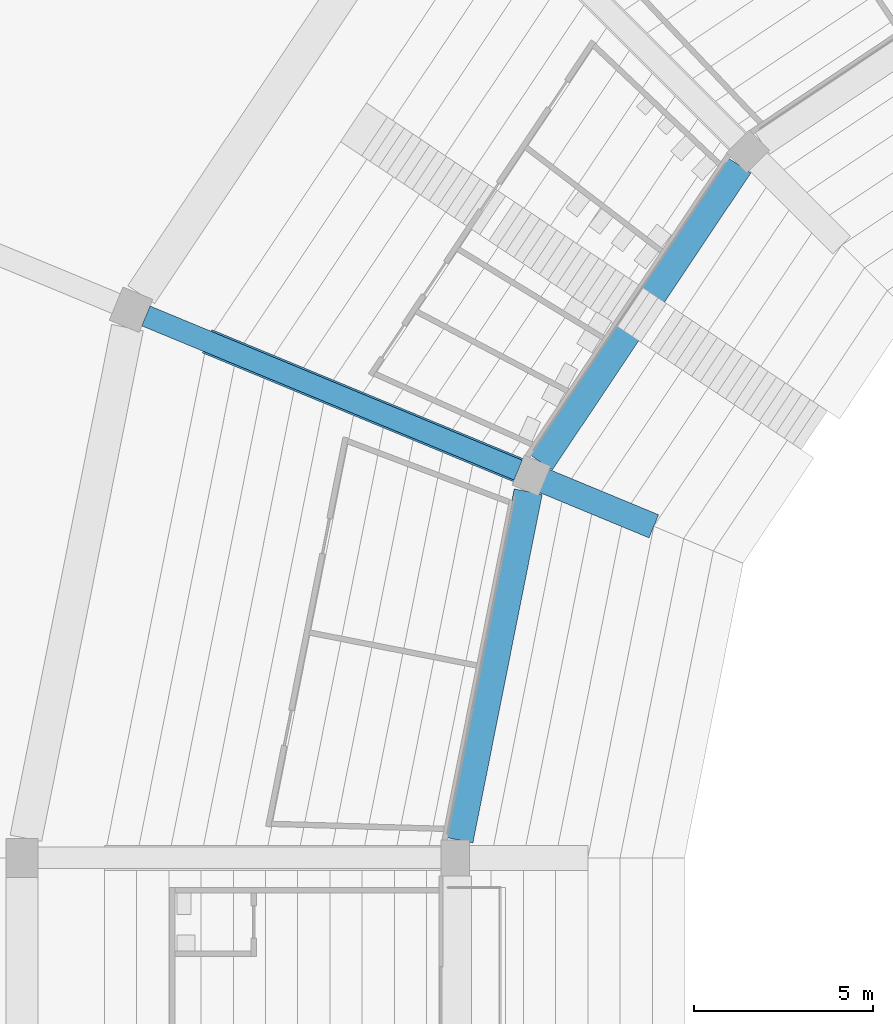
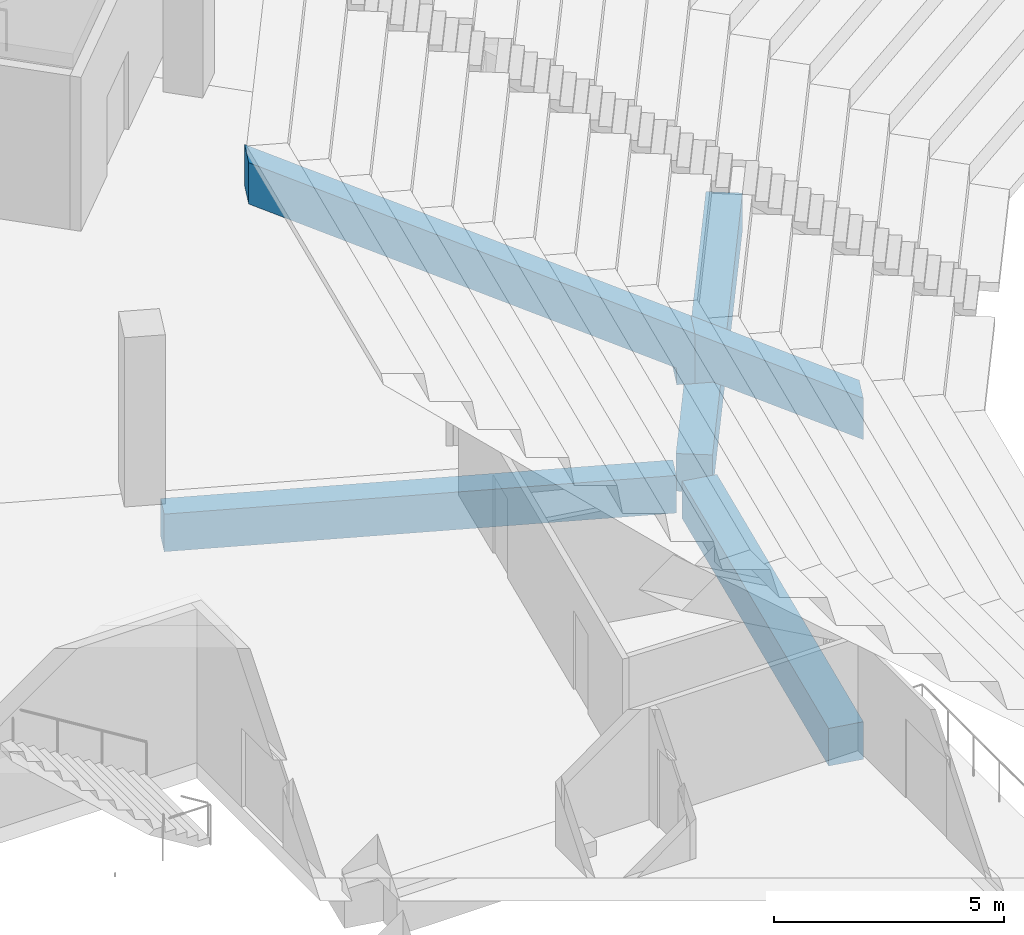
# One storey, part 44 of 249: 5 beams.
"""IFC4 building model written with IfcOpenShell, lengths in metres."""

from ifc_helpers import new_model, si_unit, direction, frame, origin, origin_2d, place, context, subcontext, project, spatial, polyline, rectangle, outline, extrude, material, material_profile, profile_set, type_object, element, save


model = new_model("IFC4")

# Units and contexts
model_context = context("Model", 3, precision=1e-05, world=origin(), true_north=direction((0.0, 1.0)))
body_context = subcontext(model_context, "Body", "Model", "MODEL_VIEW")
ifc_project = project(units=[si_unit("LENGTHUNIT", "METRE"), si_unit("AREAUNIT", "SQUARE_METRE"), si_unit("VOLUMEUNIT", "CUBIC_METRE"), si_unit("PLANEANGLEUNIT", "RADIAN"), si_unit("MASSUNIT", "GRAM", prefix="KILO")], contexts=[model_context])

# Site, building, storey
site_placement = place(None, origin())
site = spatial("IfcSite", under=ifc_project, at=site_placement, CompositionType="ELEMENT")
building_placement = place(site_placement, origin())
building = spatial("IfcBuilding", under=site, at=building_placement, Name="Ogive Plaza Stadium", CompositionType="ELEMENT")
storey_placement = place(building_placement, frame((0.0, 0.0, 13.5)))
storey = spatial("IfcBuildingStorey", under=building, at=storey_placement, Name="L03", CompositionType="ELEMENT", Elevation=13.5)

# Beams
ifc_material_1 = material(Name="Concrete C45/55 precast", Category="concrete")
ifc_material_profile_1 = material_profile(ifc_material_1, rectangle(XDim=0.699951171875, YDim=1.10009765625, at=origin_2d()), Name="RC 700x1100")
ifc_profile_set_1 = profile_set([ifc_material_profile_1], Name="Concrete C45/55 precast")
beam_type_1 = type_object("IfcBeamType", Name="Precast raker UT back-span 700x1100", PredefinedType="USERDEFINED", material=ifc_profile_set_1)
beam_1_placement = place(storey_placement, frame((-34.0, 52.5, -13.5), z_axis=(0.0, 0.0, 1.0), x_axis=(-0.923879532511, 0.382683432365, 0.0)))
element("IfcBeam", 1, at=beam_1_placement, inside=storey, type_object=beam_type_1, Name="RAKER UT BACK-SPAN R29", ObjectType="RAKER", PredefinedType="USERDEFINED", context=body_context, shape_type="SweptSolid", body=[
    extrude(outline(polyline([(27.89990234375, 15.533203125), (28.300048828125, 15.533203125), (28.300048828125, 15.977783203125), (37.699951171875, 21.199951171875), (37.699951171875, 22.300048828125), (27.89990234375, 16.855712890625), (27.89990234375, 15.533203125)])), frame((0.0, 0.35009765625, 0.0), z_axis=(0.0, -1.0, 0.0), x_axis=(1.0, 0.0, 0.0)), (0.0, 0.0, 1.0), 0.699951171875),
])
ifc_material_2 = material(Name="Concrete C45/55 precast", Category="concrete")
ifc_material_profile_2 = material_profile(ifc_material_2, rectangle(XDim=0.699951171875, YDim=1.10009765625, at=origin_2d()), Name="RC 700x1100")
ifc_profile_set_2 = profile_set([ifc_material_profile_2], Name="Concrete C45/55 precast")
beam_type_2 = type_object("IfcBeamType", Name="Precast raker UT cantilever 700x1100", PredefinedType="USERDEFINED", material=ifc_profile_set_2)
beam_2_placement = place(storey_placement, frame((-34.0, 52.5, -13.5), z_axis=(0.0, 0.0, 1.0), x_axis=(-0.923879532511, 0.382683432365, 0.0)))
element("IfcBeam", 2, at=beam_2_placement, inside=storey, type_object=beam_type_2, Name="RAKER UT CANTILEVER R29", ObjectType="RAKER", PredefinedType="USERDEFINED", context=body_context, shape_type="SweptSolid", body=[
    extrude(outline(polyline([(24.199951171875, 13.699951171875), (27.5, 15.533203125), (27.89990234375, 15.533203125), (27.89990234375, 16.855712890625), (24.199951171875, 14.800048828125), (24.199951171875, 13.699951171875)])), frame((0.0, 0.35009765625, 0.0), z_axis=(0.0, -1.0, 0.0), x_axis=(1.0, 0.0, 0.0)), (0.0, 0.0, 1.0), 0.699951171875),
])
ifc_material_3 = material(Name="Concrete C40/50", Category="concrete")
ifc_material_profile_3 = material_profile(ifc_material_3, rectangle(XDim=0.60009765625, YDim=1.0, at=origin_2d()), Name="RC 600x1000")
ifc_profile_set_3 = profile_set([ifc_material_profile_3], Name="Concrete C40/50")
beam_type_3 = type_object("IfcBeamType", Name="RC radial beam 600x1000", PredefinedType="BEAM", material=ifc_profile_set_3)
beam_3_placement = place(storey_placement, frame((-60.145751953125, 63.329833984375, -0.909912109375), z_axis=(-0.92388194159, 0.382677616283, 0.0), x_axis=(-0.382677616283, -0.92388194159, 0.0)))
element("IfcBeam", 3, at=beam_3_placement, inside=storey, type_object=beam_type_3, Name="Radial beam L03 R29 F3F4", PredefinedType="BEAM", context=body_context, shape_type="SweptSolid", body=[
    extrude(rectangle(XDim=0.60009765625, YDim=1.0, at=origin_2d()), origin(), (0.0, 0.0, 1.0), 11.250244140625),
])
ifc_material_4 = material(Name="Concrete C40/50", Category="concrete")
ifc_material_profile_4 = material_profile(ifc_material_4, rectangle(XDim=0.800048828125, YDim=1.0, at=origin_2d()), Name="RC 800x1000")
ifc_profile_set_4 = profile_set([ifc_material_profile_4], Name="Concrete C40/50")
beam_type_4 = type_object("IfcBeamType", Name="RC ring beam 800x1000", PredefinedType="BEAM", material=ifc_profile_set_4)
beam_4_placement = place(storey_placement, frame((-61.800537109375, 53.0, -0.909912109375), z_axis=(0.195093456635, 0.980784656884, 0.0), x_axis=(-0.980784656884, 0.195093456635, 0.0)))
element("IfcBeam", 4, at=beam_4_placement, inside=storey, type_object=beam_type_4, Name="Ring beam F3 L03 B28", PredefinedType="BEAM", context=body_context, shape_type="SweptSolid", body=[
    extrude(rectangle(XDim=0.800048828125, YDim=1.0, at=origin_2d()), origin(), (0.0, 0.0, 1.0), 9.91748046875),
])
beam_5_placement = place(storey_placement, frame((-59.521240234375, 63.558349609375, -0.909912109375), z_axis=(0.555570290949, 0.831469573595, 0.0), x_axis=(-0.831469573595, 0.555570290949, 0.0)))
element("IfcBeam", 5, at=beam_5_placement, inside=storey, type_object=beam_type_4, Name="Ring beam F3 L03 B29", PredefinedType="BEAM", context=body_context, shape_type="SweptSolid", body=[
    extrude(rectangle(XDim=0.800048828125, YDim=1.0, at=origin_2d()), origin(), (0.0, 0.0, 1.0), 9.96826171875),
])

save(model, "model.ifc")
